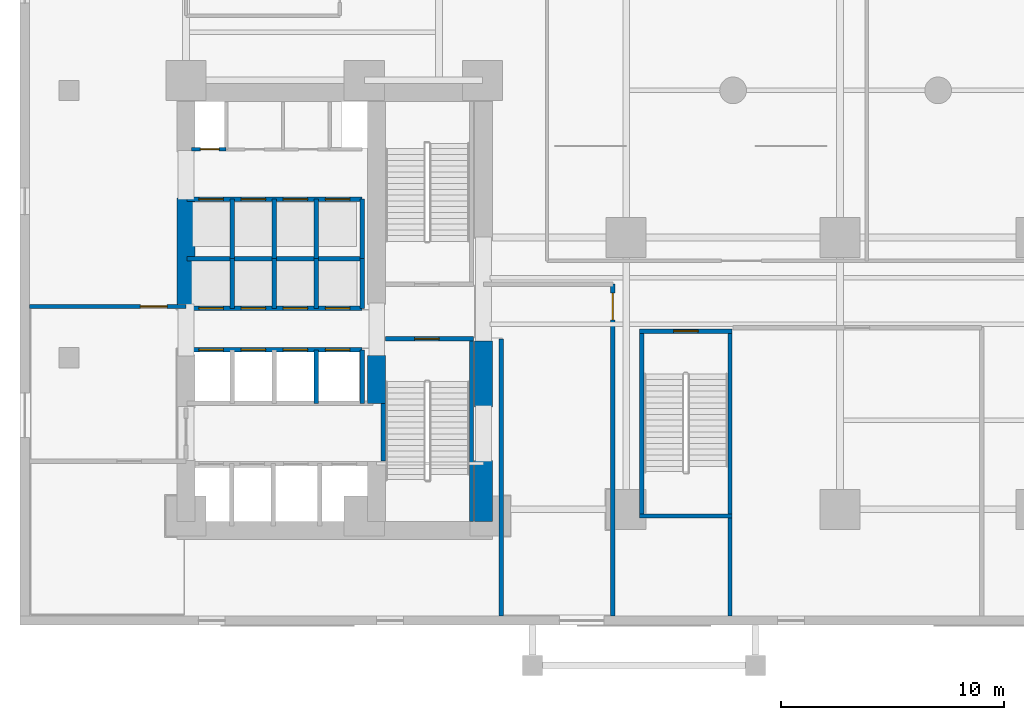
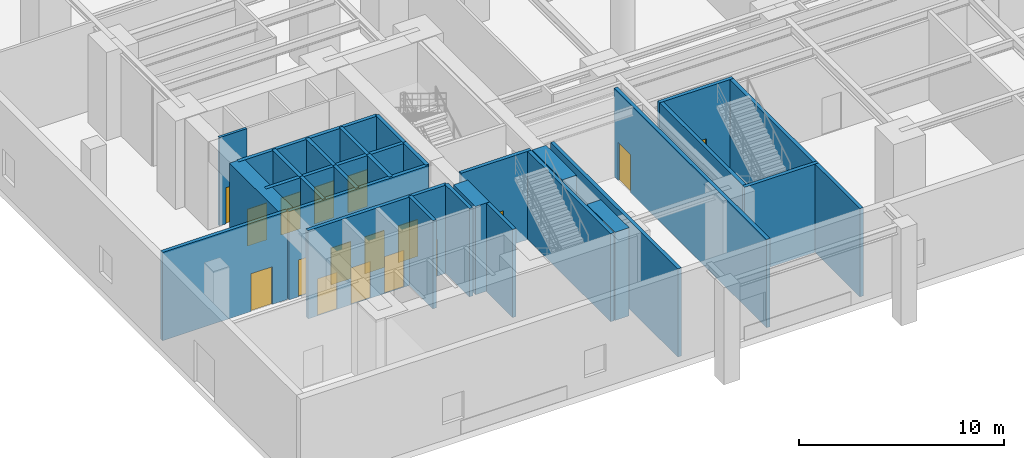
# One storey, part 11 of 17: 30 walls, 17 doors, 17 openings.
"""IFC4 building model written with IfcOpenShell, lengths in metres."""

from ifc_helpers import new_model, si_unit, direction, frame, frame_2d, origin, place, context, subcontext, project, spatial, rectangle, extrude, material, layer, layer_set, type_object, element, fill, save


model = new_model("IFC4")

# Units and contexts
model_context = context("Model", 3, precision=1e-05, world=origin(), true_north=direction((0.0, 1.0)))
body_context = subcontext(model_context, "Body", "Model", "MODEL_VIEW")
ifc_project = project(units=[si_unit("LENGTHUNIT", "METRE"), si_unit("AREAUNIT", "SQUARE_METRE"), si_unit("VOLUMEUNIT", "CUBIC_METRE"), si_unit("PLANEANGLEUNIT", "RADIAN"), si_unit("MASSUNIT", "GRAM", prefix="KILO")], contexts=[model_context])

# Site, building, storey
site_placement = place(None, origin())
site = spatial("IfcSite", under=ifc_project, at=site_placement, CompositionType="ELEMENT")
building_placement = place(site_placement, origin())
building = spatial("IfcBuilding", under=site, at=building_placement, Name="Kolvaren Waterfront Exchange", CompositionType="ELEMENT")
storey_placement = place(building_placement, origin())
storey = spatial("IfcBuildingStorey", under=building, at=storey_placement, Name="L01", CompositionType="ELEMENT", Elevation=0.0)

# Wall, opening, door
ifc_material_1 = material(Name="Precast concrete C40/50", Category="concrete")
ifc_layer_1 = layer(ifc_material_1, 0.199951171875, Name="Precast concrete C40/50")
ifc_layer_set_1 = layer_set([ifc_layer_1], Name="Precast concrete C40/50")
wall_type_1 = type_object("IfcWallType", Name="ARC-FIRE-200", PredefinedType="PARTITIONING", material=ifc_layer_set_1)
wall_1_placement = place(storey_placement, frame((16.39990234375, 12.85009765625, 0.0), z_axis=(0.0, 0.0, 1.0), x_axis=(1.0, 0.0, 0.0)))
wall_1 = element("IfcWall", 1, at=wall_1_placement, inside=storey, type_object=wall_type_1, Name="L01 interior wall PW-L01-ST1-THROAT-S", PredefinedType="PARTITIONING", context=body_context, shape_type="SweptSolid", body=[
    extrude(rectangle(XDim=3.960205078125, YDim=0.199951171875, at=frame_2d((1.97998046875, 0.0))), origin(), (0.0, 0.0, 1.0), 5.260009765625),
])
opening_1_placement = place(wall_1_placement, frame((1.3037109375, 0.0, 0.0)))
opening_1 = element("IfcOpeningElement", 2, at=opening_1_placement, cuts=wall_1, Name="Opening FD2", PredefinedType="OPENING", context=body_context, shape_type="SweptSolid", body=[
    extrude(rectangle(XDim=1.10009765625, YDim=2.199951171875, at=frame_2d((0.550048828125, 1.10009765625))), frame((0.0, 0.10986328125, 0.0), z_axis=(0.0, -1.0, 0.0), x_axis=(1.0, 0.0, 0.0)), (0.0, 0.0, 1.0), 0.219970703125),
])
ifc_material_2 = material(Name="Pressed steel smoke-seal fire door", Category="steel")
door_type_1 = type_object("IfcDoorType", Name="ARC-FD-1100", OperationType="NOTDEFINED", PredefinedType="DOOR", material=ifc_material_2)
door_1_placement = place(opening_1_placement, frame((1.10009765625, 0.0, 0.0), z_axis=(0.0, 0.0, 1.0), x_axis=(-1.0, 0.0, 0.0)))
door_1 = element("IfcDoor", 3, at=door_1_placement, inside=storey, type_object=door_type_1, Name="L01 door DR-L01-ST1-IN (FD2)", OperationType="SINGLE_SWING_RIGHT", OverallHeight=2.199951171875, OverallWidth=1.10009765625, PredefinedType="DOOR", context=body_context, shape_type="SweptSolid", body=[
    extrude(rectangle(XDim=1.10009765625, YDim=2.199951171875, at=frame_2d((0.550048828125, 1.10009765625))), frame((0.0, 0.02490234375, 0.0), z_axis=(0.0, -1.0, 0.0), x_axis=(1.0, 0.0, 0.0)), (0.0, 0.0, 1.0), 0.050048828125),
])
fill(opening_1, door_1)

# Wall
wall_2_placement = place(storey_placement, frame((21.60009765625, 0.419921875, 0.0), z_axis=(0.0, 0.0, 1.0), x_axis=(0.0, 1.0, 0.0)))
element("IfcWall", 4, at=wall_2_placement, inside=storey, type_object=wall_type_1, Name="L01 interior wall PW-L01-PEX-S-W", PredefinedType="PARTITIONING", context=body_context, shape_type="SweptSolid", body=[
    extrude(rectangle(XDim=12.43017578125, YDim=0.199951171875, at=frame_2d((6.215087890625, 0.0))), origin(), (0.0, 0.0, 1.0), 5.260009765625),
])

# Wall, opening, door
wall_3_placement = place(storey_placement, frame((26.60009765625, 0.419921875, 0.0), z_axis=(0.0, 0.0, 1.0), x_axis=(0.0, 1.0, 0.0)))
wall_3 = element("IfcWall", 5, at=wall_3_placement, inside=storey, type_object=wall_type_1, Name="L01 interior wall PW-L01-PEX-S-E", PredefinedType="PARTITIONING", context=body_context, shape_type="SweptSolid", body=[
    extrude(rectangle(XDim=14.880126953125, YDim=0.199951171875, at=frame_2d((7.43994140625, 0.0))), origin(), (0.0, 0.0, 1.0), 5.260009765625),
])
opening_2_placement = place(wall_3_placement, frame((13.280029296875, 0.0, 0.0)))
opening_2 = element("IfcOpeningElement", 6, at=opening_2_placement, cuts=wall_3, Name="Opening FD3", PredefinedType="OPENING", context=body_context, shape_type="SweptSolid", body=[
    extrude(rectangle(XDim=1.199951171875, YDim=2.25, at=frame_2d((0.60009765625, 1.125))), frame((0.0, 0.10986328125, 0.0), z_axis=(0.0, -1.0, 0.0), x_axis=(1.0, 0.0, 0.0)), (0.0, 0.0, 1.0), 0.219970703125),
])
ifc_material_3 = material(Name="Pressed steel fire door", Category="steel")
door_type_2 = type_object("IfcDoorType", Name="ARC-FD-1200", OperationType="NOTDEFINED", PredefinedType="DOOR", material=ifc_material_3)
door_2_placement = place(opening_2_placement, origin())
door_2 = element("IfcDoor", 7, at=door_2_placement, inside=storey, type_object=door_type_2, Name="L01 door DR-L01-PEX-S-LOBBY (FD3)", OperationType="SINGLE_SWING_LEFT", OverallHeight=2.25, OverallWidth=1.199951171875, PredefinedType="DOOR", context=body_context, shape_type="SweptSolid", body=[
    extrude(rectangle(XDim=1.199951171875, YDim=2.25, at=frame_2d((0.60009765625, 1.125))), frame((0.0, 0.02490234375, 0.0), z_axis=(0.0, -1.0, 0.0), x_axis=(1.0, 0.0, 0.0)), (0.0, 0.0, 1.0), 0.050048828125),
])
fill(opening_2, door_2)

wall_4_placement = place(storey_placement, frame((0.419921875, 14.300048828125, 0.0), z_axis=(0.0, 0.0, 1.0), x_axis=(1.0, 0.0, 0.0)))
wall_4 = element("IfcWall", 8, at=wall_4_placement, inside=storey, type_object=wall_type_1, Name="L01 interior wall PW-L01-PEX-W-N", PredefinedType="PARTITIONING", context=body_context, shape_type="SweptSolid", body=[
    extrude(rectangle(XDim=7.030029296875, YDim=0.199951171875, at=frame_2d((3.51513671875, 0.0))), origin(), (0.0, 0.0, 1.0), 5.260009765625),
])
opening_3_placement = place(wall_4_placement, frame((4.97998046875, 0.0, 0.0)))
opening_3 = element("IfcOpeningElement", 9, at=opening_3_placement, cuts=wall_4, Name="Opening FD3", PredefinedType="OPENING", context=body_context, shape_type="SweptSolid", body=[
    extrude(rectangle(XDim=1.199951171875, YDim=2.25, at=frame_2d((0.60009765625, 1.125))), frame((0.0, 0.10986328125, 0.0), z_axis=(0.0, -1.0, 0.0), x_axis=(1.0, 0.0, 0.0)), (0.0, 0.0, 1.0), 0.219970703125),
])
door_3_placement = place(opening_3_placement, origin())
door_3 = element("IfcDoor", 10, at=door_3_placement, inside=storey, type_object=door_type_2, Name="L01 door DR-L01-PEX-W-LOBBY (FD3)", OperationType="SINGLE_SWING_RIGHT", OverallHeight=2.25, OverallWidth=1.199951171875, PredefinedType="DOOR", context=body_context, shape_type="SweptSolid", body=[
    extrude(rectangle(XDim=1.199951171875, YDim=2.25, at=frame_2d((0.60009765625, 1.125))), frame((0.0, 0.02490234375, 0.0), z_axis=(0.0, -1.0, 0.0), x_axis=(1.0, 0.0, 0.0)), (0.0, 0.0, 1.0), 0.050048828125),
])
fill(opening_3, door_3)

# Wall
wall_5_placement = place(storey_placement, frame((31.860107421875, 0.419921875, 0.0), z_axis=(0.0, 0.0, 1.0), x_axis=(0.0, 1.0, 0.0)))
element("IfcWall", 11, at=wall_5_placement, inside=storey, type_object=wall_type_1, Name="L01 interior wall PW-L01-FCR-W", PredefinedType="PARTITIONING", context=body_context, shape_type="SweptSolid", body=[
    extrude(rectangle(XDim=4.380126953125, YDim=0.199951171875, at=frame_2d((2.18994140625, 0.0))), origin(), (0.0, 0.0, 1.0), 5.260009765625),
])

# Wall, opening, door
ifc_material_4 = material(Name="Gypsum fireboard steel stud", Category="steel")
ifc_layer_2 = layer(ifc_material_4, 0.14990234375, Name="Gypsum fireboard steel stud")
ifc_layer_set_2 = layer_set([ifc_layer_2], Name="Gypsum fireboard steel stud")
wall_type_2 = type_object("IfcWallType", Name="ARC-PART-150", PredefinedType="PARTITIONING", material=ifc_layer_set_2)
wall_6_placement = place(storey_placement, frame((7.699951171875, 21.35009765625, 0.0), z_axis=(0.0, 0.0, 1.0), x_axis=(1.0, 0.0, 0.0)))
wall_6 = element("IfcWall", 12, at=wall_6_placement, inside=storey, type_object=wall_type_2, Name="L01 interior wall PW-L01-SVC-RE-S", PredefinedType="PARTITIONING", context=body_context, shape_type="SweptSolid", body=[
    extrude(rectangle(XDim=1.550048828125, YDim=0.14990234375, at=frame_2d((0.77490234375, 0.0))), origin(), (0.0, 0.0, 1.0), 5.260009765625),
])
opening_4_placement = place(wall_6_placement, frame((0.389892578125, 0.0, 0.0)))
opening_4 = element("IfcOpeningElement", 13, at=opening_4_placement, cuts=wall_6, Name="Opening FD1", PredefinedType="OPENING", context=body_context, shape_type="SweptSolid", body=[
    extrude(rectangle(XDim=0.85009765625, YDim=2.14990234375, at=frame_2d((0.425048828125, 1.074951171875))), frame((0.0, 0.0849609375, 0.0), z_axis=(0.0, -1.0, 0.0), x_axis=(1.0, 0.0, 0.0)), (0.0, 0.0, 1.0), 0.169921875),
])
ifc_material_5 = material(Name="Pressed steel fire leaf", Category="steel")
door_type_3 = type_object("IfcDoorType", Name="ARC-FD-900", OperationType="NOTDEFINED", PredefinedType="DOOR", material=ifc_material_5)
door_4_placement = place(opening_4_placement, origin())
door_4 = element("IfcDoor", 14, at=door_4_placement, inside=storey, type_object=door_type_3, Name="L01 door DR-L01-RISER-E-DR (FD1)", OperationType="SINGLE_SWING_RIGHT", OverallHeight=2.14990234375, OverallWidth=0.85009765625, PredefinedType="DOOR", context=body_context, shape_type="SweptSolid", body=[
    extrude(rectangle(XDim=0.85009765625, YDim=2.14990234375, at=frame_2d((0.425048828125, 1.074951171875))), frame((0.0, 0.02490234375, 0.0), z_axis=(0.0, -1.0, 0.0), x_axis=(1.0, 0.0, 0.0)), (0.0, 0.0, 1.0), 0.050048828125),
])
fill(opening_4, door_4)

# Walls
ifc_material_6 = material(Name="Concrete C40/50", Category="concrete")
ifc_layer_3 = layer(ifc_material_6, 0.199951171875, Name="Concrete C40/50")
ifc_layer_set_3 = layer_set([ifc_layer_3], Name="Concrete C40/50")
wall_type_3 = type_object("IfcWallType", Name="ARC-SHAFT-200", PredefinedType="PARTITIONING", material=ifc_layer_set_3)
wall_7_placement = place(storey_placement, frame((16.300048828125, 7.360107421875, 0.0), z_axis=(0.0, 0.0, 1.0), x_axis=(0.0, 1.0, 0.0)))
element("IfcWall", 15, at=wall_7_placement, inside=storey, type_object=wall_type_3, Name="L01 structural stairwell wall PW-L01-ST1-W", PredefinedType="SHEAR", context=body_context, shape_type="SweptSolid", body=[
    extrude(rectangle(XDim=2.579833984375, YDim=0.199951171875, at=frame_2d((1.2900390625, 0.0))), origin(), (0.0, 0.0, 1.0), 5.260009765625),
])
wall_8_placement = place(storey_placement, frame((20.260009765625, 4.659912109375, 0.0), z_axis=(0.0, 0.0, 1.0), x_axis=(0.0, 1.0, 0.0)))
element("IfcWall", 16, at=wall_8_placement, inside=storey, type_object=wall_type_3, Name="L01 structural stairwell wall PW-L01-ST1-E", PredefinedType="SHEAR", context=body_context, shape_type="SweptSolid", body=[
    extrude(rectangle(XDim=8.090087890625, YDim=0.199951171875, at=frame_2d((4.044921875, 0.0))), origin(), (0.0, 0.0, 1.0), 5.260009765625),
])
for number, where, z_axis, x_axis, name in (
    (17, (27.89990234375, 5.0, 0.0), (0.0, 0.0, 1.0), (0.0, 1.0, 0.0), "L01 structural stairwell wall PW-L01-ST3-W"),
    (18, (31.860107421875, 5.0, 0.0), (0.0, 0.0, 1.0), (0.0, 1.0, 0.0), "L01 structural stairwell wall PW-L01-ST3-E"),
):
    element("IfcWall", number, at=place(storey_placement, frame(where, z_axis=z_axis, x_axis=x_axis)), inside=storey, type_object=wall_type_3, Name=name, PredefinedType="SHEAR", context=body_context, shape_type="SweptSolid", body=[
        extrude(rectangle(XDim=8.10009765625, YDim=0.199951171875, at=frame_2d((4.050048828125, 0.0))), origin(), (0.0, 0.0, 1.0), 5.260009765625),
    ])
wall_9_placement = place(storey_placement, frame((27.800048828125, 4.89990234375, 0.0), z_axis=(0.0, 0.0, 1.0), x_axis=(1.0, 0.0, 0.0)))
element("IfcWall", 19, at=wall_9_placement, inside=storey, type_object=wall_type_3, Name="L01 structural stairwell wall PW-L01-ST3-S", PredefinedType="SHEAR", context=body_context, shape_type="SweptSolid", body=[
    extrude(rectangle(XDim=4.159912109375, YDim=0.199951171875, at=frame_2d((2.080078125, 0.0))), origin(), (0.0, 0.0, 1.0), 5.260009765625),
])

# Wall, opening, door
wall_10_placement = place(storey_placement, frame((27.800048828125, 13.199951171875, 0.0), z_axis=(0.0, 0.0, 1.0), x_axis=(1.0, 0.0, 0.0)))
wall_10 = element("IfcWall", 20, at=wall_10_placement, inside=storey, type_object=wall_type_3, Name="L01 structural stairwell wall PW-L01-ST3-N", PredefinedType="SHEAR", context=body_context, shape_type="SweptSolid", body=[
    extrude(rectangle(XDim=4.159912109375, YDim=0.199951171875, at=frame_2d((2.080078125, 0.0))), origin(), (0.0, 0.0, 1.0), 5.260009765625),
])
opening_5_placement = place(wall_10_placement, frame((1.530029296875, 0.0, 0.0)))
opening_5 = element("IfcOpeningElement", 21, at=opening_5_placement, cuts=wall_10, Name="Opening FD2", PredefinedType="OPENING", context=body_context, shape_type="SweptSolid", body=[
    extrude(rectangle(XDim=1.10009765625, YDim=2.199951171875, at=frame_2d((0.550048828125, 1.10009765625))), frame((0.0, 0.10986328125, 0.0), z_axis=(0.0, -1.0, 0.0), x_axis=(1.0, 0.0, 0.0)), (0.0, 0.0, 1.0), 0.219970703125),
])
door_5_placement = place(opening_5_placement, frame((1.10009765625, 0.0, 0.0), z_axis=(0.0, 0.0, 1.0), x_axis=(-1.0, 0.0, 0.0)))
door_5 = element("IfcDoor", 22, at=door_5_placement, inside=storey, type_object=door_type_1, Name="L01 door DR-L01-ST3-IN (FD2)", OperationType="SINGLE_SWING_RIGHT", OverallHeight=2.199951171875, OverallWidth=1.10009765625, PredefinedType="DOOR", context=body_context, shape_type="SweptSolid", body=[
    extrude(rectangle(XDim=1.10009765625, YDim=2.199951171875, at=frame_2d((0.550048828125, 1.10009765625))), frame((0.0, 0.02490234375, 0.0), z_axis=(0.0, -1.0, 0.0), x_axis=(1.0, 0.0, 0.0)), (0.0, 0.0, 1.0), 0.050048828125),
])
fill(opening_5, door_5)

# Wall, openings, doors
wall_11_placement = place(storey_placement, frame((7.5, 12.360107421875, 0.0), z_axis=(0.0, 0.0, 1.0), x_axis=(1.0, 0.0, 0.0)))
wall_11 = element("IfcWall", 23, at=wall_11_placement, inside=storey, type_object=wall_type_3, Name="L01 interior wall PW-L01-PL-N", PredefinedType="PARTITIONING", context=body_context, shape_type="SweptSolid", body=[
    extrude(rectangle(XDim=7.85009765625, YDim=0.199951171875, at=frame_2d((3.925048828125, 0.0))), origin(), (0.0, 0.0, 1.0), 5.260009765625),
])
opening_6_placement = place(wall_11_placement, frame((0.530029296875, 0.0, 0.0)))
opening_6 = element("IfcOpeningElement", 24, at=opening_6_placement, cuts=wall_11, Name="Opening LD2", PredefinedType="OPENING", context=body_context, shape_type="SweptSolid", body=[
    extrude(rectangle(XDim=1.10009765625, YDim=2.199951171875, at=frame_2d((0.550048828125, 1.10009765625))), frame((0.0, 0.10986328125, 0.0), z_axis=(0.0, -1.0, 0.0), x_axis=(1.0, 0.0, 0.0)), (0.0, 0.0, 1.0), 0.219970703125),
])
opening_7_placement = place(wall_11_placement, frame((2.419921875, 0.0, 0.0)))
opening_7 = element("IfcOpeningElement", 25, at=opening_7_placement, cuts=wall_11, Name="Opening LD2", PredefinedType="OPENING", context=body_context, shape_type="SweptSolid", body=[
    extrude(rectangle(XDim=1.10009765625, YDim=2.199951171875, at=frame_2d((0.550048828125, 1.10009765625))), frame((0.0, 0.10986328125, 0.0), z_axis=(0.0, -1.0, 0.0), x_axis=(1.0, 0.0, 0.0)), (0.0, 0.0, 1.0), 0.219970703125),
])
opening_8_placement = place(wall_11_placement, frame((4.31005859375, 0.0, 0.0)))
opening_8 = element("IfcOpeningElement", 26, at=opening_8_placement, cuts=wall_11, Name="Opening LD2", PredefinedType="OPENING", context=body_context, shape_type="SweptSolid", body=[
    extrude(rectangle(XDim=1.10009765625, YDim=2.199951171875, at=frame_2d((0.550048828125, 1.10009765625))), frame((0.0, 0.10986328125, 0.0), z_axis=(0.0, -1.0, 0.0), x_axis=(1.0, 0.0, 0.0)), (0.0, 0.0, 1.0), 0.219970703125),
])
opening_9_placement = place(wall_11_placement, frame((6.199951171875, 0.0, 0.0)))
opening_9 = element("IfcOpeningElement", 27, at=opening_9_placement, cuts=wall_11, Name="Opening LD2", PredefinedType="OPENING", context=body_context, shape_type="SweptSolid", body=[
    extrude(rectangle(XDim=1.10009765625, YDim=2.199951171875, at=frame_2d((0.550048828125, 1.10009765625))), frame((0.0, 0.10986328125, 0.0), z_axis=(0.0, -1.0, 0.0), x_axis=(1.0, 0.0, 0.0)), (0.0, 0.0, 1.0), 0.219970703125),
])
ifc_material_7 = material(Name="Brushed bronze sliding landing door", Category="aluminium")
door_type_4 = type_object("IfcDoorType", Name="ARC-LD-PAX", OperationType="SLIDING_TO_LEFT", PredefinedType="DOOR", material=ifc_material_7)
door_6_placement = place(opening_6_placement, origin())
door_6 = element("IfcDoor", 28, at=door_6_placement, inside=storey, type_object=door_type_4, Name="L01 door LD-L01-PL1 (LD2)", OperationType="SLIDING_TO_LEFT", OverallHeight=2.199951171875, OverallWidth=1.10009765625, PredefinedType="DOOR", context=body_context, shape_type="SweptSolid", body=[
    extrude(rectangle(XDim=1.10009765625, YDim=2.199951171875, at=frame_2d((0.550048828125, 1.10009765625))), frame((0.0, 0.02490234375, 0.0), z_axis=(0.0, -1.0, 0.0), x_axis=(1.0, 0.0, 0.0)), (0.0, 0.0, 1.0), 0.050048828125),
])
fill(opening_6, door_6)
door_7_placement = place(opening_7_placement, origin())
door_7 = element("IfcDoor", 29, at=door_7_placement, inside=storey, type_object=door_type_4, Name="L01 door LD-L01-PL2 (LD2)", OperationType="SLIDING_TO_LEFT", OverallHeight=2.199951171875, OverallWidth=1.10009765625, PredefinedType="DOOR", context=body_context, shape_type="SweptSolid", body=[
    extrude(rectangle(XDim=1.10009765625, YDim=2.199951171875, at=frame_2d((0.550048828125, 1.10009765625))), frame((0.0, 0.02490234375, 0.0), z_axis=(0.0, -1.0, 0.0), x_axis=(1.0, 0.0, 0.0)), (0.0, 0.0, 1.0), 0.050048828125),
])
fill(opening_7, door_7)
door_8_placement = place(opening_8_placement, origin())
door_8 = element("IfcDoor", 30, at=door_8_placement, inside=storey, type_object=door_type_4, Name="L01 door LD-L01-PL3 (LD2)", OperationType="SLIDING_TO_LEFT", OverallHeight=2.199951171875, OverallWidth=1.10009765625, PredefinedType="DOOR", context=body_context, shape_type="SweptSolid", body=[
    extrude(rectangle(XDim=1.10009765625, YDim=2.199951171875, at=frame_2d((0.550048828125, 1.10009765625))), frame((0.0, 0.02490234375, 0.0), z_axis=(0.0, -1.0, 0.0), x_axis=(1.0, 0.0, 0.0)), (0.0, 0.0, 1.0), 0.050048828125),
])
fill(opening_8, door_8)
door_9_placement = place(opening_9_placement, origin())
door_9 = element("IfcDoor", 31, at=door_9_placement, inside=storey, type_object=door_type_4, Name="L01 door LD-L01-PL4 (LD2)", OperationType="SLIDING_TO_LEFT", OverallHeight=2.199951171875, OverallWidth=1.10009765625, PredefinedType="DOOR", context=body_context, shape_type="SweptSolid", body=[
    extrude(rectangle(XDim=1.10009765625, YDim=2.199951171875, at=frame_2d((0.550048828125, 1.10009765625))), frame((0.0, 0.02490234375, 0.0), z_axis=(0.0, -1.0, 0.0), x_axis=(1.0, 0.0, 0.0)), (0.0, 0.0, 1.0), 0.050048828125),
])
fill(opening_9, door_9)

# Walls
for number, where, z_axis, x_axis, name in (
    (32, (15.35009765625, 9.949951171875, 0.0), (0.0, 0.0, 1.0), (0.0, 1.0, 0.0), "L01 interior wall PW-L01-PL-E"),
    (33, (13.300048828125, 9.949951171875, 0.0), (0.0, 0.0, 1.0), (0.0, 1.0, 0.0), "L01 interior wall PW-L01-SH2-DIV-133"),
):
    element("IfcWall", number, at=place(storey_placement, frame(where, z_axis=z_axis, x_axis=x_axis)), inside=storey, type_object=wall_type_3, Name=name, PredefinedType="PARTITIONING", context=body_context, shape_type="SweptSolid", body=[
        extrude(rectangle(XDim=2.41015625, YDim=0.199951171875, at=frame_2d((1.205078125, 0.0))), origin(), (0.0, 0.0, 1.0), 5.260009765625),
    ])

# Wall, openings, doors
wall_12_placement = place(storey_placement, frame((7.5, 14.219970703125, 0.0), z_axis=(0.0, 0.0, 1.0), x_axis=(1.0, 0.0, 0.0)))
wall_12 = element("IfcWall", 34, at=wall_12_placement, inside=storey, type_object=wall_type_3, Name="L01 interior wall PW-L01-PM-S", PredefinedType="PARTITIONING", context=body_context, shape_type="SweptSolid", body=[
    extrude(rectangle(XDim=7.85009765625, YDim=0.199951171875, at=frame_2d((3.925048828125, 0.0))), origin(), (0.0, 0.0, 1.0), 5.260009765625),
])
opening_10_placement = place(wall_12_placement, frame((0.530029296875, 0.0, 0.0)))
opening_10 = element("IfcOpeningElement", 35, at=opening_10_placement, cuts=wall_12, Name="Opening LD2", PredefinedType="OPENING", context=body_context, shape_type="SweptSolid", body=[
    extrude(rectangle(XDim=1.10009765625, YDim=2.199951171875, at=frame_2d((0.550048828125, 1.10009765625))), frame((0.0, 0.10986328125, 0.0), z_axis=(0.0, -1.0, 0.0), x_axis=(1.0, 0.0, 0.0)), (0.0, 0.0, 1.0), 0.219970703125),
])
opening_11_placement = place(wall_12_placement, frame((2.419921875, 0.0, 0.0)))
opening_11 = element("IfcOpeningElement", 36, at=opening_11_placement, cuts=wall_12, Name="Opening LD2", PredefinedType="OPENING", context=body_context, shape_type="SweptSolid", body=[
    extrude(rectangle(XDim=1.10009765625, YDim=2.199951171875, at=frame_2d((0.550048828125, 1.10009765625))), frame((0.0, 0.10986328125, 0.0), z_axis=(0.0, -1.0, 0.0), x_axis=(1.0, 0.0, 0.0)), (0.0, 0.0, 1.0), 0.219970703125),
])
opening_12_placement = place(wall_12_placement, frame((4.31005859375, 0.0, 0.0)))
opening_12 = element("IfcOpeningElement", 37, at=opening_12_placement, cuts=wall_12, Name="Opening LD2", PredefinedType="OPENING", context=body_context, shape_type="SweptSolid", body=[
    extrude(rectangle(XDim=1.10009765625, YDim=2.199951171875, at=frame_2d((0.550048828125, 1.10009765625))), frame((0.0, 0.10986328125, 0.0), z_axis=(0.0, -1.0, 0.0), x_axis=(1.0, 0.0, 0.0)), (0.0, 0.0, 1.0), 0.219970703125),
])
opening_13_placement = place(wall_12_placement, frame((6.199951171875, 0.0, 0.0)))
opening_13 = element("IfcOpeningElement", 38, at=opening_13_placement, cuts=wall_12, Name="Opening LD2", PredefinedType="OPENING", context=body_context, shape_type="SweptSolid", body=[
    extrude(rectangle(XDim=1.10009765625, YDim=2.199951171875, at=frame_2d((0.550048828125, 1.10009765625))), frame((0.0, 0.10986328125, 0.0), z_axis=(0.0, -1.0, 0.0), x_axis=(1.0, 0.0, 0.0)), (0.0, 0.0, 1.0), 0.219970703125),
])
door_10_placement = place(opening_10_placement, frame((1.10009765625, 0.0, 0.0), z_axis=(0.0, 0.0, 1.0), x_axis=(-1.0, 0.0, 0.0)))
door_10 = element("IfcDoor", 39, at=door_10_placement, inside=storey, type_object=door_type_4, Name="L01 door LD-L01-PM1 (LD2)", OperationType="SLIDING_TO_LEFT", OverallHeight=2.199951171875, OverallWidth=1.10009765625, PredefinedType="DOOR", context=body_context, shape_type="SweptSolid", body=[
    extrude(rectangle(XDim=1.10009765625, YDim=2.199951171875, at=frame_2d((0.550048828125, 1.10009765625))), frame((0.0, 0.02490234375, 0.0), z_axis=(0.0, -1.0, 0.0), x_axis=(1.0, 0.0, 0.0)), (0.0, 0.0, 1.0), 0.050048828125),
])
fill(opening_10, door_10)
door_11_placement = place(opening_11_placement, frame((1.10009765625, 0.0, 0.0), z_axis=(0.0, 0.0, 1.0), x_axis=(-1.0, 0.0, 0.0)))
door_11 = element("IfcDoor", 40, at=door_11_placement, inside=storey, type_object=door_type_4, Name="L01 door LD-L01-PM2 (LD2)", OperationType="SLIDING_TO_LEFT", OverallHeight=2.199951171875, OverallWidth=1.10009765625, PredefinedType="DOOR", context=body_context, shape_type="SweptSolid", body=[
    extrude(rectangle(XDim=1.10009765625, YDim=2.199951171875, at=frame_2d((0.550048828125, 1.10009765625))), frame((0.0, 0.02490234375, 0.0), z_axis=(0.0, -1.0, 0.0), x_axis=(1.0, 0.0, 0.0)), (0.0, 0.0, 1.0), 0.050048828125),
])
fill(opening_11, door_11)
door_12_placement = place(opening_12_placement, frame((1.10009765625, 0.0, 0.0), z_axis=(0.0, 0.0, 1.0), x_axis=(-1.0, 0.0, 0.0)))
door_12 = element("IfcDoor", 41, at=door_12_placement, inside=storey, type_object=door_type_4, Name="L01 door LD-L01-PM3 (LD2)", OperationType="SLIDING_TO_LEFT", OverallHeight=2.199951171875, OverallWidth=1.10009765625, PredefinedType="DOOR", context=body_context, shape_type="SweptSolid", body=[
    extrude(rectangle(XDim=1.10009765625, YDim=2.199951171875, at=frame_2d((0.550048828125, 1.10009765625))), frame((0.0, 0.02490234375, 0.0), z_axis=(0.0, -1.0, 0.0), x_axis=(1.0, 0.0, 0.0)), (0.0, 0.0, 1.0), 0.050048828125),
])
fill(opening_12, door_12)
door_13_placement = place(opening_13_placement, frame((1.10009765625, 0.0, 0.0), z_axis=(0.0, 0.0, 1.0), x_axis=(-1.0, 0.0, 0.0)))
door_13 = element("IfcDoor", 42, at=door_13_placement, inside=storey, type_object=door_type_4, Name="L01 door LD-L01-PM4 (LD2)", OperationType="SLIDING_TO_LEFT", OverallHeight=2.199951171875, OverallWidth=1.10009765625, PredefinedType="DOOR", context=body_context, shape_type="SweptSolid", body=[
    extrude(rectangle(XDim=1.10009765625, YDim=2.199951171875, at=frame_2d((0.550048828125, 1.10009765625))), frame((0.0, 0.02490234375, 0.0), z_axis=(0.0, -1.0, 0.0), x_axis=(1.0, 0.0, 0.0)), (0.0, 0.0, 1.0), 0.050048828125),
])
fill(opening_13, door_13)

# Walls
wall_13_placement = place(storey_placement, frame((7.5, 16.449951171875, 0.0), z_axis=(0.0, 0.0, 1.0), x_axis=(1.0, 0.0, 0.0)))
element("IfcWall", 43, at=wall_13_placement, inside=storey, type_object=wall_type_3, Name="L01 interior wall PW-L01-PM-N", PredefinedType="PARTITIONING", context=body_context, shape_type="SweptSolid", body=[
    extrude(rectangle(XDim=7.85009765625, YDim=0.199951171875, at=frame_2d((3.925048828125, 0.0))), origin(), (0.0, 0.0, 1.0), 5.260009765625),
])
for number, where, z_axis, x_axis, name in (
    (44, (15.35009765625, 14.219970703125, 0.0), (0.0, 0.0, 1.0), (0.0, 1.0, 0.0), "L01 interior wall PW-L01-PM-E"),
    (45, (9.52001953125, 14.219970703125, 0.0), (0.0, 0.0, 1.0), (0.0, 1.0, 0.0), "L01 interior wall PW-L01-SH3-DIV-95"),
    (46, (11.409912109375, 14.219970703125, 0.0), (0.0, 0.0, 1.0), (0.0, 1.0, 0.0), "L01 interior wall PW-L01-SH3-DIV-114"),
    (47, (13.300048828125, 14.219970703125, 0.0), (0.0, 0.0, 1.0), (0.0, 1.0, 0.0), "L01 interior wall PW-L01-SH3-DIV-133"),
):
    element("IfcWall", number, at=place(storey_placement, frame(where, z_axis=z_axis, x_axis=x_axis)), inside=storey, type_object=wall_type_3, Name=name, PredefinedType="PARTITIONING", context=body_context, shape_type="SweptSolid", body=[
        extrude(rectangle(XDim=2.22998046875, YDim=0.199951171875, at=frame_2d((1.114990234375, 0.0))), origin(), (0.0, 0.0, 1.0), 5.260009765625),
    ])

# Wall, openings, doors
wall_14_placement = place(storey_placement, frame((7.5, 19.1201171875, 0.0), z_axis=(0.0, 0.0, 1.0), x_axis=(1.0, 0.0, 0.0)))
wall_14 = element("IfcWall", 48, at=wall_14_placement, inside=storey, type_object=wall_type_3, Name="L01 interior wall PW-L01-PH-N", PredefinedType="PARTITIONING", context=body_context, shape_type="SweptSolid", body=[
    extrude(rectangle(XDim=7.85009765625, YDim=0.199951171875, at=frame_2d((3.925048828125, 0.0))), origin(), (0.0, 0.0, 1.0), 5.260009765625),
])
opening_14_placement = place(wall_14_placement, frame((0.530029296875, 0.0, 0.0)))
opening_14 = element("IfcOpeningElement", 49, at=opening_14_placement, cuts=wall_14, Name="Opening LD2", PredefinedType="OPENING", context=body_context, shape_type="SweptSolid", body=[
    extrude(rectangle(XDim=1.10009765625, YDim=2.199951171875, at=frame_2d((0.550048828125, 1.10009765625))), frame((0.0, 0.10986328125, 0.0), z_axis=(0.0, -1.0, 0.0), x_axis=(1.0, 0.0, 0.0)), (0.0, 0.0, 1.0), 0.219970703125),
])
opening_15_placement = place(wall_14_placement, frame((2.419921875, 0.0, 0.0)))
opening_15 = element("IfcOpeningElement", 50, at=opening_15_placement, cuts=wall_14, Name="Opening LD2", PredefinedType="OPENING", context=body_context, shape_type="SweptSolid", body=[
    extrude(rectangle(XDim=1.10009765625, YDim=2.199951171875, at=frame_2d((0.550048828125, 1.10009765625))), frame((0.0, 0.10986328125, 0.0), z_axis=(0.0, -1.0, 0.0), x_axis=(1.0, 0.0, 0.0)), (0.0, 0.0, 1.0), 0.219970703125),
])
opening_16_placement = place(wall_14_placement, frame((4.31005859375, 0.0, 0.0)))
opening_16 = element("IfcOpeningElement", 51, at=opening_16_placement, cuts=wall_14, Name="Opening LD2", PredefinedType="OPENING", context=body_context, shape_type="SweptSolid", body=[
    extrude(rectangle(XDim=1.10009765625, YDim=2.199951171875, at=frame_2d((0.550048828125, 1.10009765625))), frame((0.0, 0.10986328125, 0.0), z_axis=(0.0, -1.0, 0.0), x_axis=(1.0, 0.0, 0.0)), (0.0, 0.0, 1.0), 0.219970703125),
])
opening_17_placement = place(wall_14_placement, frame((6.199951171875, 0.0, 0.0)))
opening_17 = element("IfcOpeningElement", 52, at=opening_17_placement, cuts=wall_14, Name="Opening LD2", PredefinedType="OPENING", context=body_context, shape_type="SweptSolid", body=[
    extrude(rectangle(XDim=1.10009765625, YDim=2.199951171875, at=frame_2d((0.550048828125, 1.10009765625))), frame((0.0, 0.10986328125, 0.0), z_axis=(0.0, -1.0, 0.0), x_axis=(1.0, 0.0, 0.0)), (0.0, 0.0, 1.0), 0.219970703125),
])
door_14_placement = place(opening_14_placement, origin())
door_14 = element("IfcDoor", 53, at=door_14_placement, inside=storey, type_object=door_type_4, Name="L01 door LD-L01-PH1 (LD2)", OperationType="SLIDING_TO_LEFT", OverallHeight=2.199951171875, OverallWidth=1.10009765625, PredefinedType="DOOR", context=body_context, shape_type="SweptSolid", body=[
    extrude(rectangle(XDim=1.10009765625, YDim=2.199951171875, at=frame_2d((0.550048828125, 1.10009765625))), frame((0.0, 0.02490234375, 0.0), z_axis=(0.0, -1.0, 0.0), x_axis=(1.0, 0.0, 0.0)), (0.0, 0.0, 1.0), 0.050048828125),
])
fill(opening_14, door_14)
door_15_placement = place(opening_15_placement, origin())
door_15 = element("IfcDoor", 54, at=door_15_placement, inside=storey, type_object=door_type_4, Name="L01 door LD-L01-PH2 (LD2)", OperationType="SLIDING_TO_LEFT", OverallHeight=2.199951171875, OverallWidth=1.10009765625, PredefinedType="DOOR", context=body_context, shape_type="SweptSolid", body=[
    extrude(rectangle(XDim=1.10009765625, YDim=2.199951171875, at=frame_2d((0.550048828125, 1.10009765625))), frame((0.0, 0.02490234375, 0.0), z_axis=(0.0, -1.0, 0.0), x_axis=(1.0, 0.0, 0.0)), (0.0, 0.0, 1.0), 0.050048828125),
])
fill(opening_15, door_15)
door_16_placement = place(opening_16_placement, origin())
door_16 = element("IfcDoor", 55, at=door_16_placement, inside=storey, type_object=door_type_4, Name="L01 door LD-L01-PH3 (LD2)", OperationType="SLIDING_TO_LEFT", OverallHeight=2.199951171875, OverallWidth=1.10009765625, PredefinedType="DOOR", context=body_context, shape_type="SweptSolid", body=[
    extrude(rectangle(XDim=1.10009765625, YDim=2.199951171875, at=frame_2d((0.550048828125, 1.10009765625))), frame((0.0, 0.02490234375, 0.0), z_axis=(0.0, -1.0, 0.0), x_axis=(1.0, 0.0, 0.0)), (0.0, 0.0, 1.0), 0.050048828125),
])
fill(opening_16, door_16)
door_17_placement = place(opening_17_placement, origin())
door_17 = element("IfcDoor", 56, at=door_17_placement, inside=storey, type_object=door_type_4, Name="L01 door LD-L01-PH4 (LD2)", OperationType="SLIDING_TO_LEFT", OverallHeight=2.199951171875, OverallWidth=1.10009765625, PredefinedType="DOOR", context=body_context, shape_type="SweptSolid", body=[
    extrude(rectangle(XDim=1.10009765625, YDim=2.199951171875, at=frame_2d((0.550048828125, 1.10009765625))), frame((0.0, 0.02490234375, 0.0), z_axis=(0.0, -1.0, 0.0), x_axis=(1.0, 0.0, 0.0)), (0.0, 0.0, 1.0), 0.050048828125),
])
fill(opening_17, door_17)

# Walls
for number, where, z_axis, x_axis, name in (
    (57, (15.35009765625, 16.449951171875, 0.0), (0.0, 0.0, 1.0), (0.0, 1.0, 0.0), "L01 interior wall PW-L01-PH-E"),
    (58, (9.52001953125, 16.449951171875, 0.0), (0.0, 0.0, 1.0), (0.0, 1.0, 0.0), "L01 interior wall PW-L01-SH4-DIV-95"),
    (59, (11.409912109375, 16.449951171875, 0.0), (0.0, 0.0, 1.0), (0.0, 1.0, 0.0), "L01 interior wall PW-L01-SH4-DIV-114"),
    (60, (13.300048828125, 16.449951171875, 0.0), (0.0, 0.0, 1.0), (0.0, 1.0, 0.0), "L01 interior wall PW-L01-SH4-DIV-133"),
):
    element("IfcWall", number, at=place(storey_placement, frame(where, z_axis=z_axis, x_axis=x_axis)), inside=storey, type_object=wall_type_3, Name=name, PredefinedType="PARTITIONING", context=body_context, shape_type="SweptSolid", body=[
        extrude(rectangle(XDim=2.670166015625, YDim=0.199951171875, at=frame_2d((1.3349609375, 0.0))), origin(), (0.0, 0.0, 1.0), 5.260009765625),
    ])
ifc_material_8 = material(Name="Concrete C70/85", Category="concrete")
ifc_layer_4 = layer(ifc_material_8, 0.800048828125, Name="Concrete C70/85")
ifc_layer_set_4 = layer_set([ifc_layer_4], Name="Concrete C70/85")
wall_type_4 = type_object("IfcWallType", Name="STR-CWALL-800", PredefinedType="SHEAR", material=ifc_layer_set_4)
wall_15_placement = place(storey_placement, frame((7.449951171875, 14.35009765625, 0.0), z_axis=(0.0, 0.0, 1.0), x_axis=(0.0, 1.0, 0.0)))
element("IfcWall", 61, at=wall_15_placement, inside=storey, type_object=wall_type_4, Name="L01 rear-core shear wall W2B", PredefinedType="SHEAR", context=body_context, shape_type="SweptSolid", body=[
    extrude(rectangle(XDim=4.809814453125, YDim=0.800048828125, at=frame_2d((2.40478515625, 0.0))), origin(), (0.0, 0.0, 1.0), 5.260009765625),
])
wall_16_placement = place(storey_placement, frame((20.800048828125, 4.64990234375, 0.0), z_axis=(0.0, 0.0, 1.0), x_axis=(0.0, 1.0, 0.0)))
element("IfcWall", 62, at=wall_16_placement, inside=storey, type_object=wall_type_4, Name="L01 rear-core shear wall E1", PredefinedType="SHEAR", context=body_context, shape_type="SweptSolid", body=[
    extrude(rectangle(XDim=2.75, YDim=0.800048828125, at=frame_2d((1.375, 0.0))), origin(), (0.0, 0.0, 1.0), 5.260009765625),
])
wall_17_placement = place(storey_placement, frame((20.800048828125, 9.800048828125, 0.0), z_axis=(0.0, 0.0, 1.0), x_axis=(0.0, 1.0, 0.0)))
element("IfcWall", 63, at=wall_17_placement, inside=storey, type_object=wall_type_4, Name="L01 rear-core shear wall E2", PredefinedType="SHEAR", context=body_context, shape_type="SweptSolid", body=[
    extrude(rectangle(XDim=2.949951171875, YDim=0.800048828125, at=frame_2d((1.47509765625, 0.0))), origin(), (0.0, 0.0, 1.0), 5.260009765625),
])
wall_18_placement = place(storey_placement, frame((16.0, 9.949951171875, 0.0), z_axis=(0.0, 0.0, 1.0), x_axis=(0.0, 1.0, 0.0)))
element("IfcWall", 64, at=wall_18_placement, inside=storey, type_object=wall_type_4, Name="L01 rear-core shear wall M2", PredefinedType="SHEAR", context=body_context, shape_type="SweptSolid", body=[
    extrude(rectangle(XDim=2.150146484375, YDim=0.800048828125, at=frame_2d((1.0751953125, 0.0))), origin(), (0.0, 0.0, 1.0), 5.260009765625),
])

save(model, "model.ifc")
